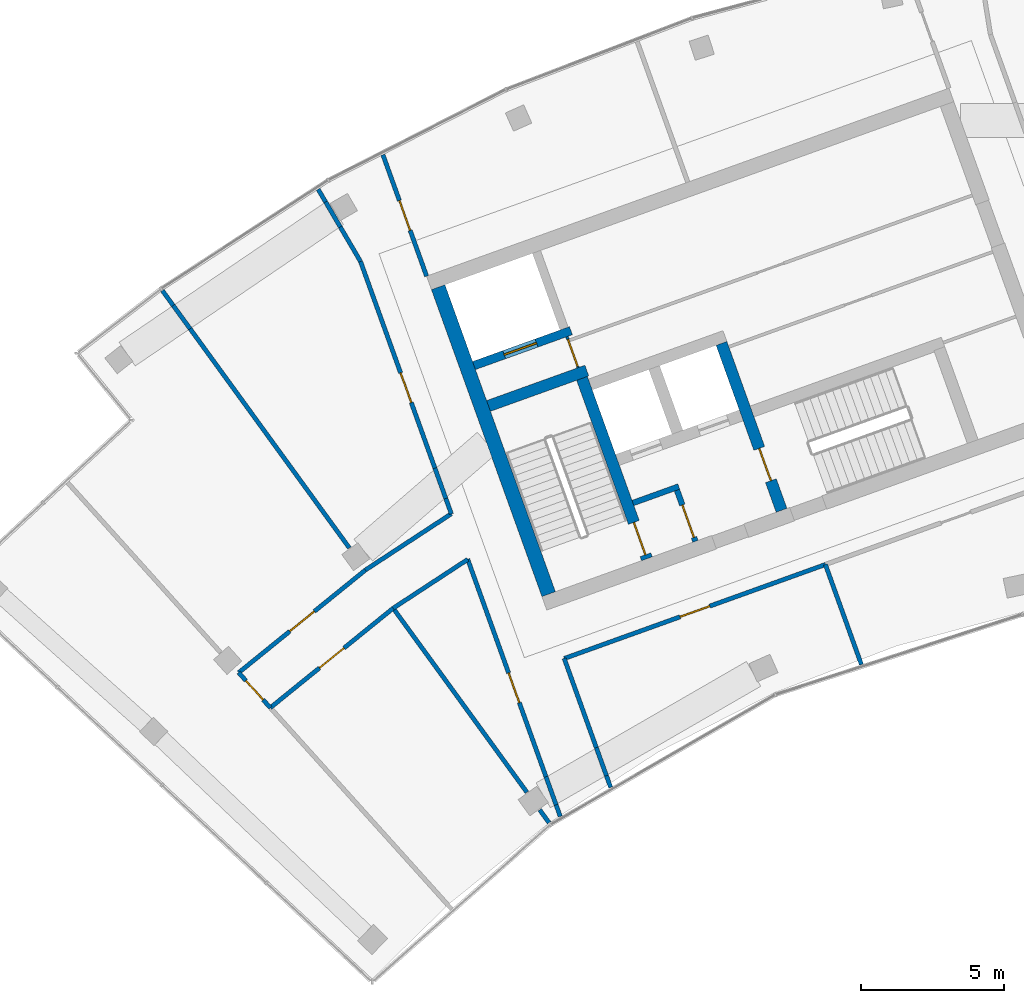
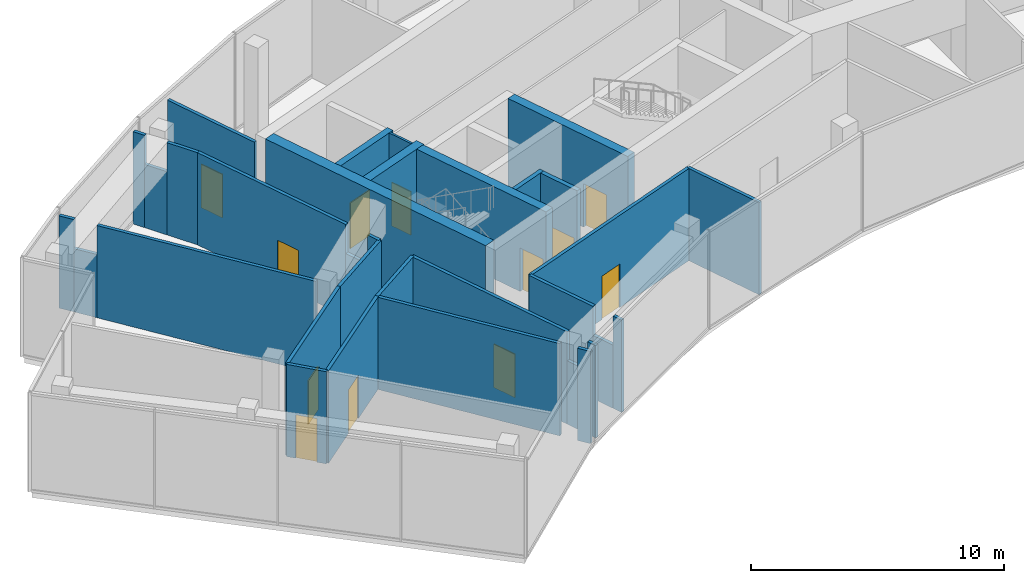
# One storey, part 12 of 17: 33 walls, 12 doors, 12 openings.
"""IFC4 building model written with IfcOpenShell, lengths in metres."""

from ifc_helpers import new_model, si_unit, direction, frame, frame_2d, origin, place, context, subcontext, project, spatial, rectangle, extrude, material, layer, layer_set, type_object, element, fill, save


model = new_model("IFC4")

# Units and contexts
model_context = context("Model", 3, precision=1e-05, world=origin(), true_north=direction((0.0, 1.0)))
body_context = subcontext(model_context, "Body", "Model", "MODEL_VIEW")
ifc_project = project(units=[si_unit("LENGTHUNIT", "METRE"), si_unit("AREAUNIT", "SQUARE_METRE"), si_unit("VOLUMEUNIT", "CUBIC_METRE"), si_unit("PLANEANGLEUNIT", "RADIAN"), si_unit("MASSUNIT", "GRAM", prefix="KILO")], contexts=[model_context])

# Site, building, storey
site_placement = place(None, origin())
site = spatial("IfcSite", under=ifc_project, at=site_placement, CompositionType="ELEMENT")
building_placement = place(site_placement, origin())
building = spatial("IfcBuilding", under=site, at=building_placement, Name="Stone Belt Terrace Tower", CompositionType="ELEMENT")
storey_placement = place(building_placement, frame((0.0, 0.0, 318.199951171875)))
storey = spatial("IfcBuildingStorey", under=building, at=storey_placement, Name="L77", CompositionType="ELEMENT", Elevation=318.199951171875)

# Wall, opening, door
ifc_material_1 = material(Name="Plasterboard partition")
ifc_layer_1 = layer(ifc_material_1, 0.10009765625)
ifc_layer_set_1 = layer_set([ifc_layer_1], Name="Core partition 100")
wall_type_1 = type_object("IfcWallType", Name="Core partition 100", PredefinedType="PARTITIONING", material=ifc_layer_set_1)
wall_1_placement = place(storey_placement, frame((-24.555908203125, 51.10400390625, 0.0), z_axis=(0.0, 0.0, 1.0), x_axis=(-0.338621735342, 0.94092258999, 0.0)))
wall_1 = element("IfcWall", 1, at=wall_1_placement, inside=storey, type_object=wall_type_1, Name="Core A wall", PredefinedType="PARTITIONING", context=body_context, shape_type="SweptSolid", body=[
    extrude(rectangle(XDim=1.14990234375, YDim=0.10009765625, at=frame_2d((0.574951171875, 0.0))), origin(), (0.0, 0.0, 1.0), 4.449951171875),
])
opening_1_placement = place(wall_1_placement, frame((0.050048828125, 0.0, 0.0)))
opening_1 = element("IfcOpeningElement", 2, at=opening_1_placement, cuts=wall_1, Name="Opening L77-C03", PredefinedType="OPENING", context=body_context, shape_type="SweptSolid", body=[
    extrude(rectangle(XDim=1.0, YDim=2.10009765625, at=frame_2d((0.5, 1.050048828125))), frame((0.0, 0.06005859375, 0.0), z_axis=(0.0, -1.0, 0.0), x_axis=(1.0, 0.0, 0.0)), (0.0, 0.0, 1.0), 0.1201171875),
])
ifc_material_2 = material(Name="Timber door leaf", Category="wood")
door_type_1 = type_object("IfcDoorType", Name="Core room door 1000", OperationType="SINGLE_SWING_LEFT", PredefinedType="DOOR", material=ifc_material_2)
door_1_placement = place(opening_1_placement, origin())
door_1 = element("IfcDoor", 3, at=door_1_placement, inside=storey, type_object=door_type_1, Name="Service lift lobby door core A", OperationType="SINGLE_SWING_LEFT", OverallHeight=2.10009765625, OverallWidth=1.0, PredefinedType="DOOR", context=body_context, shape_type="SweptSolid", body=[
    extrude(rectangle(XDim=1.0, YDim=2.10009765625, at=frame_2d((0.5, 1.050048828125))), frame((0.0, 0.02490234375, 0.0), z_axis=(0.0, -1.0, 0.0), x_axis=(1.0, 0.0, 0.0)), (0.0, 0.0, 1.0), 0.050048828125),
])
fill(opening_1, door_1)

# Wall
ifc_material_3 = material(Name="Concrete B60", Category="concrete")
ifc_layer_2 = layer(ifc_material_3, 0.5)
ifc_layer_set_2 = layer_set([ifc_layer_2], Name="Core wall 500 B60")
wall_type_2 = type_object("IfcWallType", Name="Core wall 500 B60", PredefinedType="SHEAR", material=ifc_layer_set_2)
wall_2_placement = place(storey_placement, frame((-25.5859375, 43.1875, 0.0), z_axis=(0.0, 0.0, 1.0), x_axis=(-0.338632255135, 0.940918804033, 0.0)))
element("IfcWall", 4, at=wall_2_placement, inside=storey, type_object=wall_type_2, Name="Core A wall end_a L77", PredefinedType="SHEAR", context=body_context, shape_type="SweptSolid", body=[
    extrude(rectangle(XDim=11.39990234375, YDim=0.5, at=frame_2d((5.699951171875, 0.0))), origin(), (0.0, 0.0, 1.0), 4.800048828125),
])

# Wall, opening, door
ifc_material_4 = material(Name="Concrete B80", Category="concrete")
ifc_layer_3 = layer(ifc_material_4, 0.300048828125)
ifc_layer_set_3 = layer_set([ifc_layer_3], Name="Lift shaft wall 300")
wall_type_3 = type_object("IfcWallType", Name="Lift shaft wall 300", PredefinedType="SHEAR", material=ifc_layer_set_3)
wall_3_placement = place(storey_placement, frame((-28.195068359375, 51.17578125, 0.0), z_axis=(0.0, 0.0, 1.0), x_axis=(0.940901243567, 0.338681044427, 0.0)))
wall_3 = element("IfcWall", 5, at=wall_3_placement, inside=storey, type_object=wall_type_3, Name="Core A wall", PredefinedType="SHEAR", context=body_context, shape_type="SweptSolid", body=[
    extrude(rectangle(XDim=3.599853515625, YDim=0.300048828125, at=frame_2d((1.7998046875, 0.0))), origin(), (0.0, 0.0, 1.0), 4.449951171875),
])
opening_2_placement = place(wall_3_placement, frame((1.1201171875, 0.0, 0.0)))
opening_2 = element("IfcOpeningElement", 6, at=opening_2_placement, cuts=wall_3, Name="Opening L77-LD03", PredefinedType="OPENING", context=body_context, shape_type="SweptSolid", body=[
    extrude(rectangle(XDim=1.199951171875, YDim=2.199951171875, at=frame_2d((0.60009765625, 1.10009765625))), frame((0.0, 0.159912109375, 0.0), z_axis=(0.0, -1.0, 0.0), x_axis=(1.0, 0.0, 0.0)), (0.0, 0.0, 1.0), 0.320068359375),
])
ifc_material_5 = material(Name="Stainless steel door leaf", Category="steel")
door_type_2 = type_object("IfcDoorType", Name="Landing door 1200", OperationType="SLIDING_TO_LEFT", PredefinedType="DOOR", material=ifc_material_5)
door_2_placement = place(opening_2_placement, origin())
door_2 = element("IfcDoor", 7, at=door_2_placement, inside=storey, type_object=door_type_2, Name="Landing door SV1 core A", OperationType="SLIDING_TO_LEFT", OverallHeight=2.199951171875, OverallWidth=1.199951171875, PredefinedType="DOOR", context=body_context, shape_type="SweptSolid", body=[
    extrude(rectangle(XDim=1.199951171875, YDim=2.199951171875, at=frame_2d((0.60009765625, 1.10009765625))), frame((0.0, 0.02490234375, 0.0), z_axis=(0.0, -1.0, 0.0), x_axis=(1.0, 0.0, 0.0)), (0.0, 0.0, 1.0), 0.050048828125),
])
fill(opening_2, door_2)

# Walls
ifc_material_6 = material(Name="Gypsum board partition")
ifc_layer_4 = layer(ifc_material_6, 0.14990234375)
ifc_layer_set_4 = layer_set([ifc_layer_4], Name="PARTITION 150 EI 60")
wall_type_4 = type_object("IfcWallType", Name="PARTITION 150 EI 60", PredefinedType="PARTITIONING", material=ifc_layer_set_4)
wall_4_placement = place(storey_placement, frame((-25.0439453125, 40.945068359375, 0.0), z_axis=(0.0, 0.0, 1.0), x_axis=(0.338711654555, -0.94089022477, 0.0)))
element("IfcWall", 8, at=wall_4_placement, inside=storey, type_object=wall_type_4, Name="L77/wall/i001-1", PredefinedType="PARTITIONING", context=body_context, shape_type="SweptSolid", body=[
    extrude(rectangle(XDim=3.3193359375, YDim=0.14990234375, at=frame_2d((1.65966796875, 0.0))), origin(), (0.0, 0.0, 1.0), 4.449951171875),
])
wall_5_placement = place(storey_placement, frame((-23.919677734375, 37.822021484375, 0.0), z_axis=(0.0, 0.0, 1.0), x_axis=(0.338752627674, -0.940875473824, 0.0)))
element("IfcWall", 9, at=wall_5_placement, inside=storey, type_object=wall_type_4, Name="L77/wall/i001-2", PredefinedType="PARTITIONING", context=body_context, shape_type="SweptSolid", body=[
    extrude(rectangle(XDim=1.04296875, YDim=0.14990234375, at=frame_2d((0.521484375, 0.0))), origin(), (0.0, 0.0, 1.0), 3.050048828125),
])
wall_6_placement = place(storey_placement, frame((-23.56640625, 36.8408203125, 0.0), z_axis=(0.0, 0.0, 1.0), x_axis=(0.338440281966, -0.940987872155, 0.0)))
element("IfcWall", 10, at=wall_6_placement, inside=storey, type_object=wall_type_4, Name="L77/wall/i001-3", PredefinedType="PARTITIONING", context=body_context, shape_type="SweptSolid", body=[
    extrude(rectangle(XDim=0.43359375, YDim=0.14990234375, at=frame_2d((0.216796875, 0.0))), origin(), (0.0, 0.0, 1.0), 4.449951171875),
])

# Wall, opening, door
wall_7_placement = place(storey_placement, frame((-31.3779296875, 58.543212890625, 0.0), z_axis=(0.0, 0.0, 1.0), x_axis=(0.338585267605, -0.940935713299, 0.0)))
wall_7 = element("IfcWall", 11, at=wall_7_placement, inside=storey, type_object=wall_type_4, Name="L77/wall/i002", PredefinedType="PARTITIONING", context=body_context, shape_type="SweptSolid", body=[
    extrude(rectangle(XDim=4.509521484375, YDim=0.14990234375, at=frame_2d((2.2548828125, 0.0))), origin(), (0.0, 0.0, 1.0), 4.449951171875),
])
opening_3_placement = place(wall_7_placement, frame((1.704833984375, 0.0, 0.0)))
opening_3 = element("IfcOpeningElement", 12, at=opening_3_placement, cuts=wall_7, Name="Opening D-C77-03", PredefinedType="OPENING", context=body_context, shape_type="SweptSolid", body=[
    extrude(rectangle(XDim=1.10009765625, YDim=2.10009765625, at=frame_2d((0.550048828125, 1.050048828125))), frame((0.0, 0.0849609375, 0.0), z_axis=(0.0, -1.0, 0.0), x_axis=(1.0, 0.0, 0.0)), (0.0, 0.0, 1.0), 0.169921875),
])
ifc_material_7 = material(Name="Steel fire door set", Category="steel")
door_type_3 = type_object("IfcDoorType", Name="SERVICE ROOM DOOR 1100 X 2100", OperationType="NOTDEFINED", PredefinedType="DOOR", material=ifc_material_7)
door_3_placement = place(opening_3_placement, origin())
door_3 = element("IfcDoor", 13, at=door_3_placement, inside=storey, type_object=door_type_3, Name="L77/door/i03", OperationType="SINGLE_SWING_RIGHT", OverallHeight=2.10009765625, OverallWidth=1.10009765625, PredefinedType="DOOR", context=body_context, shape_type="SweptSolid", body=[
    extrude(rectangle(XDim=1.10009765625, YDim=2.10009765625, at=frame_2d((0.550048828125, 1.050048828125))), frame((0.0, 0.02490234375, 0.0), z_axis=(0.0, -1.0, 0.0), x_axis=(1.0, 0.0, 0.0)), (0.0, 0.0, 1.0), 0.050048828125),
])
fill(opening_3, door_3)

# Walls
wall_8_placement = place(storey_placement, frame((-25.1796875, 35.416748046875, 0.0), z_axis=(0.0, 0.0, 1.0), x_axis=(-0.338440281966, 0.940987872155, 0.0)))
element("IfcWall", 14, at=wall_8_placement, inside=storey, type_object=wall_type_4, Name="L77/wall/i003-1", PredefinedType="PARTITIONING", context=body_context, shape_type="SweptSolid", body=[
    extrude(rectangle(XDim=0.43359375, YDim=0.14990234375, at=frame_2d((0.216796875, 0.0))), origin(), (0.0, 0.0, 1.0), 4.449951171875),
])
wall_9_placement = place(storey_placement, frame((-25.326416015625, 35.82470703125, 0.0), z_axis=(0.0, 0.0, 1.0), x_axis=(-0.338678027557, 0.940902329495, 0.0)))
element("IfcWall", 15, at=wall_9_placement, inside=storey, type_object=wall_type_4, Name="L77/wall/i003-2", PredefinedType="PARTITIONING", context=body_context, shape_type="SweptSolid", body=[
    extrude(rectangle(XDim=1.04296875, YDim=0.14990234375, at=frame_2d((0.521484375, 0.0))), origin(), (0.0, 0.0, 1.0), 3.050048828125),
])

# Wall, opening, door
wall_10_placement = place(storey_placement, frame((-25.6796875, 36.80615234375, 0.0), z_axis=(0.0, 0.0, 1.0), x_axis=(-0.338684156547, 0.940900123341, 0.0)))
wall_10 = element("IfcWall", 16, at=wall_10_placement, inside=storey, type_object=wall_type_4, Name="L77/wall/i003-3", PredefinedType="PARTITIONING", context=body_context, shape_type="SweptSolid", body=[
    extrude(rectangle(XDim=8.079345703125, YDim=0.14990234375, at=frame_2d((4.03955078125, 0.0))), origin(), (0.0, 0.0, 1.0), 4.449951171875),
])
opening_4_placement = place(wall_10_placement, frame((2.75146484375, 0.0, 0.0)))
opening_4 = element("IfcOpeningElement", 17, at=opening_4_placement, cuts=wall_10, Name="Opening D-C77-10", PredefinedType="OPENING", context=body_context, shape_type="SweptSolid", body=[
    extrude(rectangle(XDim=1.10009765625, YDim=2.10009765625, at=frame_2d((0.550048828125, 1.050048828125))), frame((0.0, 0.0849609375, 0.0), z_axis=(0.0, -1.0, 0.0), x_axis=(1.0, 0.0, 0.0)), (0.0, 0.0, 1.0), 0.169921875),
])
door_4_placement = place(opening_4_placement, origin())
door_4 = element("IfcDoor", 18, at=door_4_placement, inside=storey, type_object=door_type_3, Name="L77/door/i10", OperationType="SINGLE_SWING_RIGHT", OverallHeight=2.10009765625, OverallWidth=1.10009765625, PredefinedType="DOOR", context=body_context, shape_type="SweptSolid", body=[
    extrude(rectangle(XDim=1.10009765625, YDim=2.10009765625, at=frame_2d((0.550048828125, 1.050048828125))), frame((0.0, 0.02490234375, 0.0), z_axis=(0.0, -1.0, 0.0), x_axis=(1.0, 0.0, 0.0)), (0.0, 0.0, 1.0), 0.050048828125),
])
fill(opening_4, door_4)

# Walls
wall_11_placement = place(storey_placement, frame((-28.986083984375, 45.990966796875, 0.0), z_axis=(0.0, 0.0, 1.0), x_axis=(-0.338417215931, 0.940996167878, 0.0)))
element("IfcWall", 19, at=wall_11_placement, inside=storey, type_object=wall_type_4, Name="L77/wall/i004-1", PredefinedType="PARTITIONING", context=body_context, shape_type="SweptSolid", body=[
    extrude(rectangle(XDim=0.572021484375, YDim=0.14990234375, at=frame_2d((0.2861328125, 0.0))), origin(), (0.0, 0.0, 1.0), 4.449951171875),
])
wall_12_placement = place(storey_placement, frame((-29.1796875, 46.529296875, 0.0), z_axis=(0.0, 0.0, 1.0), x_axis=(-0.338688873114, 0.940898425564, 0.0)))
element("IfcWall", 20, at=wall_12_placement, inside=storey, type_object=wall_type_4, Name="L77/wall/i004-2", PredefinedType="PARTITIONING", context=body_context, shape_type="SweptSolid", body=[
    extrude(rectangle(XDim=1.13037109375, YDim=0.14990234375, at=frame_2d((0.565185546875, 0.0))), origin(), (0.0, 0.0, 1.0), 3.050048828125),
])

# Wall, opening, door
wall_13_placement = place(storey_placement, frame((-29.5625, 47.5927734375, 0.0), z_axis=(0.0, 0.0, 1.0), x_axis=(-0.338636131016, 0.940917409112, 0.0)))
wall_13 = element("IfcWall", 21, at=wall_13_placement, inside=storey, type_object=wall_type_4, Name="L77/wall/i004-3", PredefinedType="PARTITIONING", context=body_context, shape_type="SweptSolid", body=[
    extrude(rectangle(XDim=7.6767578125, YDim=0.14990234375, at=frame_2d((3.83837890625, 0.0))), origin(), (0.0, 0.0, 1.0), 4.449951171875),
])
opening_5_placement = place(wall_13_placement, frame((2.437255859375, 0.0, 0.0)))
opening_5 = element("IfcOpeningElement", 22, at=opening_5_placement, cuts=wall_13, Name="Opening D-C77-12", PredefinedType="OPENING", context=body_context, shape_type="SweptSolid", body=[
    extrude(rectangle(XDim=1.10009765625, YDim=2.10009765625, at=frame_2d((0.550048828125, 1.050048828125))), frame((0.0, 0.0849609375, 0.0), z_axis=(0.0, -1.0, 0.0), x_axis=(1.0, 0.0, 0.0)), (0.0, 0.0, 1.0), 0.169921875),
])
door_5_placement = place(opening_5_placement, origin())
door_5 = element("IfcDoor", 23, at=door_5_placement, inside=storey, type_object=door_type_3, Name="L77/door/i12", OperationType="SINGLE_SWING_RIGHT", OverallHeight=2.10009765625, OverallWidth=1.10009765625, PredefinedType="DOOR", context=body_context, shape_type="SweptSolid", body=[
    extrude(rectangle(XDim=1.10009765625, YDim=2.10009765625, at=frame_2d((0.550048828125, 1.050048828125))), frame((0.0, 0.02490234375, 0.0), z_axis=(0.0, -1.0, 0.0), x_axis=(1.0, 0.0, 0.0)), (0.0, 0.0, 1.0), 0.050048828125),
])
fill(opening_5, door_5)

# Walls
wall_14_placement = place(storey_placement, frame((-32.162109375, 54.81591796875, 0.0), z_axis=(0.0, 0.0, 1.0), x_axis=(-0.505934839894, 0.862571700082, 0.0)))
element("IfcWall", 24, at=wall_14_placement, inside=storey, type_object=wall_type_4, Name="L77/wall/i005-1", PredefinedType="PARTITIONING", context=body_context, shape_type="SweptSolid", body=[
    extrude(rectangle(XDim=1.396484375, YDim=0.14990234375, at=frame_2d((0.6982421875, 0.0))), origin(), (0.0, 0.0, 1.0), 4.449951171875),
])
wall_15_placement = place(storey_placement, frame((-32.86865234375, 56.0205078125, 0.0), z_axis=(0.0, 0.0, 1.0), x_axis=(-0.506134256397, 0.862454702869, 0.0)))
element("IfcWall", 25, at=wall_15_placement, inside=storey, type_object=wall_type_4, Name="L77/wall/i005-2", PredefinedType="PARTITIONING", context=body_context, shape_type="SweptSolid", body=[
    extrude(rectangle(XDim=1.011962890625, YDim=0.14990234375, at=frame_2d((0.505859375, 0.0))), origin(), (0.0, 0.0, 1.0), 3.050048828125),
])
wall_16_placement = place(storey_placement, frame((-33.380859375, 56.893310546875, 0.0), z_axis=(0.0, 0.0, 1.0), x_axis=(-0.505939142172, 0.862569176599, 0.0)))
element("IfcWall", 26, at=wall_16_placement, inside=storey, type_object=wall_type_4, Name="L77/wall/i005-3", PredefinedType="PARTITIONING", context=body_context, shape_type="SweptSolid", body=[
    extrude(rectangle(XDim=0.513427734375, YDim=0.14990234375, at=frame_2d((0.2568359375, 0.0))), origin(), (0.0, 0.0, 1.0), 4.449951171875),
])

# Wall, opening, door
wall_17_placement = place(storey_placement, frame((-15.908935546875, 44.22509765625, 0.0), z_axis=(0.0, 0.0, 1.0), x_axis=(-0.940945435026, -0.338558249498, 0.0)))
wall_17 = element("IfcWall", 27, at=wall_17_placement, inside=storey, type_object=wall_type_4, Name="L77/wall/i011", PredefinedType="PARTITIONING", context=body_context, shape_type="SweptSolid", body=[
    extrude(rectangle(XDim=9.706298828125, YDim=0.14990234375, at=frame_2d((4.85302734375, 0.0))), origin(), (0.0, 0.0, 1.0), 4.449951171875),
])
opening_6_placement = place(wall_17_placement, frame((4.302978515625, 0.0, 0.0)))
opening_6 = element("IfcOpeningElement", 28, at=opening_6_placement, cuts=wall_17, Name="Opening D-C77-01", PredefinedType="OPENING", context=body_context, shape_type="SweptSolid", body=[
    extrude(rectangle(XDim=1.10009765625, YDim=2.10009765625, at=frame_2d((0.550048828125, 1.050048828125))), frame((0.0, 0.0849609375, 0.0), z_axis=(0.0, -1.0, 0.0), x_axis=(1.0, 0.0, 0.0)), (0.0, 0.0, 1.0), 0.169921875),
])
door_6_placement = place(opening_6_placement, origin())
door_6 = element("IfcDoor", 29, at=door_6_placement, inside=storey, type_object=door_type_3, Name="L77/door/i01", OperationType="SINGLE_SWING_LEFT", OverallHeight=2.10009765625, OverallWidth=1.10009765625, PredefinedType="DOOR", context=body_context, shape_type="SweptSolid", body=[
    extrude(rectangle(XDim=1.10009765625, YDim=2.10009765625, at=frame_2d((0.550048828125, 1.050048828125))), frame((0.0, 0.02490234375, 0.0), z_axis=(0.0, -1.0, 0.0), x_axis=(1.0, 0.0, 0.0)), (0.0, 0.0, 1.0), 0.050048828125),
])
fill(opening_6, door_6)

# Wall
wall_18_placement = place(storey_placement, frame((-15.9150390625, 44.222900390625, 0.0), z_axis=(0.0, 0.0, 1.0), x_axis=(0.338565939122, -0.940942668215, 0.0)))
element("IfcWall", 30, at=wall_18_placement, inside=storey, type_object=wall_type_4, Name="L77/wall/i013", PredefinedType="PARTITIONING", context=body_context, shape_type="SweptSolid", body=[
    extrude(rectangle(XDim=3.716552734375, YDim=0.14990234375, at=frame_2d((1.8583984375, 0.0))), origin(), (0.0, 0.0, 1.0), 4.449951171875),
])

# Wall, opening, door
wall_19_placement = place(storey_placement, frame((-35.31005859375, 39.214111328125, 0.0), z_axis=(0.0, 0.0, 1.0), x_axis=(-0.669191970187, 0.743089568651, 0.0)))
wall_19 = element("IfcWall", 31, at=wall_19_placement, inside=storey, type_object=wall_type_4, Name="L77/wall/i029", PredefinedType="PARTITIONING", context=body_context, shape_type="SweptSolid", body=[
    extrude(rectangle(XDim=1.661865234375, YDim=0.14990234375, at=frame_2d((0.8310546875, 0.0))), origin(), (0.0, 0.0, 1.0), 4.449951171875),
])
opening_7_placement = place(wall_19_placement, frame((0.380859375, 0.0, 0.0)))
opening_7 = element("IfcOpeningElement", 32, at=opening_7_placement, cuts=wall_19, Name="Opening D-C77-09", PredefinedType="OPENING", context=body_context, shape_type="SweptSolid", body=[
    extrude(rectangle(XDim=0.89990234375, YDim=2.10009765625, at=frame_2d((0.449951171875, 1.050048828125))), frame((0.0, 0.0849609375, 0.0), z_axis=(0.0, -1.0, 0.0), x_axis=(1.0, 0.0, 0.0)), (0.0, 0.0, 1.0), 0.169921875),
])
door_type_4 = type_object("IfcDoorType", Name="SERVICE ROOM DOOR 900 X 2100", OperationType="NOTDEFINED", PredefinedType="DOOR", material=ifc_material_7)
door_7_placement = place(opening_7_placement, origin())
door_7 = element("IfcDoor", 33, at=door_7_placement, inside=storey, type_object=door_type_4, Name="L77/door/i09", OperationType="SINGLE_SWING_RIGHT", OverallHeight=2.10009765625, OverallWidth=0.89990234375, PredefinedType="DOOR", context=body_context, shape_type="SweptSolid", body=[
    extrude(rectangle(XDim=0.89990234375, YDim=2.10009765625, at=frame_2d((0.449951171875, 1.050048828125))), frame((0.0, 0.02490234375, 0.0), z_axis=(0.0, -1.0, 0.0), x_axis=(1.0, 0.0, 0.0)), (0.0, 0.0, 1.0), 0.050048828125),
])
fill(opening_7, door_7)

# Wall
wall_20_placement = place(storey_placement, frame((-28.4140625, 44.402099609375, 0.0), z_axis=(0.0, 0.0, 1.0), x_axis=(-0.83665188287, -0.547734996955, 0.0)))
element("IfcWall", 34, at=wall_20_placement, inside=storey, type_object=wall_type_4, Name="L77/wall/i032", PredefinedType="PARTITIONING", context=body_context, shape_type="SweptSolid", body=[
    extrude(rectangle(XDim=3.11474609375, YDim=0.14990234375, at=frame_2d((1.557373046875, 0.0))), origin(), (0.0, 0.0, 1.0), 4.449951171875),
])

# Wall, opening, door
wall_21_placement = place(storey_placement, frame((-31.02001953125, 42.696044921875, 0.0), z_axis=(0.0, 0.0, 1.0), x_axis=(-0.777086357318, -0.629393988906, 0.0)))
wall_21 = element("IfcWall", 35, at=wall_21_placement, inside=storey, type_object=wall_type_4, Name="L77/wall/i033", PredefinedType="PARTITIONING", context=body_context, shape_type="SweptSolid", body=[
    extrude(rectangle(XDim=5.5244140625, YDim=0.14990234375, at=frame_2d((2.76220703125, 0.0))), origin(), (0.0, 0.0, 1.0), 4.449951171875),
])
opening_8_placement = place(wall_21_placement, frame((2.212158203125, 0.0, 0.0)))
opening_8 = element("IfcOpeningElement", 36, at=opening_8_placement, cuts=wall_21, Name="Opening D-C77-11", PredefinedType="OPENING", context=body_context, shape_type="SweptSolid", body=[
    extrude(rectangle(XDim=1.10009765625, YDim=2.10009765625, at=frame_2d((0.550048828125, 1.050048828125))), frame((0.0, 0.0849609375, 0.0), z_axis=(0.0, -1.0, 0.0), x_axis=(1.0, 0.0, 0.0)), (0.0, 0.0, 1.0), 0.169921875),
])
door_8_placement = place(opening_8_placement, origin())
door_8 = element("IfcDoor", 37, at=door_8_placement, inside=storey, type_object=door_type_3, Name="L77/door/i11", OperationType="SINGLE_SWING_RIGHT", OverallHeight=2.10009765625, OverallWidth=1.10009765625, PredefinedType="DOOR", context=body_context, shape_type="SweptSolid", body=[
    extrude(rectangle(XDim=1.10009765625, YDim=2.10009765625, at=frame_2d((0.550048828125, 1.050048828125))), frame((0.0, 0.02490234375, 0.0), z_axis=(0.0, -1.0, 0.0), x_axis=(1.0, 0.0, 0.0)), (0.0, 0.0, 1.0), 0.050048828125),
])
fill(opening_8, door_8)

# Wall
wall_22_placement = place(storey_placement, frame((-31.989990234375, 44.031005859375, 0.0), z_axis=(0.0, 0.0, 1.0), x_axis=(0.836679406756, 0.547692952584, 0.0)))
element("IfcWall", 38, at=wall_22_placement, inside=storey, type_object=wall_type_4, Name="L77/wall/i034", PredefinedType="PARTITIONING", context=body_context, shape_type="SweptSolid", body=[
    extrude(rectangle(XDim=3.587890625, YDim=0.14990234375, at=frame_2d((1.7939453125, 0.0))), origin(), (0.0, 0.0, 1.0), 4.449951171875),
])

# Wall, opening, door
wall_23_placement = place(storey_placement, frame((-36.4169921875, 40.446044921875, 0.0), z_axis=(0.0, 0.0, 1.0), x_axis=(0.777142060115, 0.629325208776, 0.0)))
wall_23 = element("IfcWall", 39, at=wall_23_placement, inside=storey, type_object=wall_type_4, Name="L77/wall/i035", PredefinedType="PARTITIONING", context=body_context, shape_type="SweptSolid", body=[
    extrude(rectangle(XDim=5.696533203125, YDim=0.14990234375, at=frame_2d((2.84814453125, 0.0))), origin(), (0.0, 0.0, 1.0), 4.449951171875),
])
opening_9_placement = place(wall_23_placement, frame((2.29833984375, 0.0, 0.0)))
opening_9 = element("IfcOpeningElement", 40, at=opening_9_placement, cuts=wall_23, Name="Opening D-C77-13", PredefinedType="OPENING", context=body_context, shape_type="SweptSolid", body=[
    extrude(rectangle(XDim=1.10009765625, YDim=2.10009765625, at=frame_2d((0.550048828125, 1.050048828125))), frame((0.0, 0.0849609375, 0.0), z_axis=(0.0, -1.0, 0.0), x_axis=(1.0, 0.0, 0.0)), (0.0, 0.0, 1.0), 0.169921875),
])
door_9_placement = place(opening_9_placement, origin())
door_9 = element("IfcDoor", 41, at=door_9_placement, inside=storey, type_object=door_type_3, Name="L77/door/i13", OperationType="SINGLE_SWING_RIGHT", OverallHeight=2.10009765625, OverallWidth=1.10009765625, PredefinedType="DOOR", context=body_context, shape_type="SweptSolid", body=[
    extrude(rectangle(XDim=1.10009765625, YDim=2.10009765625, at=frame_2d((0.550048828125, 1.050048828125))), frame((0.0, 0.02490234375, 0.0), z_axis=(0.0, -1.0, 0.0), x_axis=(1.0, 0.0, 0.0)), (0.0, 0.0, 1.0), 0.050048828125),
])
fill(opening_9, door_9)

# Walls
wall_24_placement = place(storey_placement, frame((-25.568115234375, 35.193115234375, 0.0), z_axis=(0.0, 0.0, 1.0), x_axis=(-0.587966030763, 0.808885620263, 0.0)))
element("IfcWall", 42, at=wall_24_placement, inside=storey, type_object=wall_type_4, Name="L77/wall/i036", PredefinedType="PARTITIONING", context=body_context, shape_type="SweptSolid", body=[
    extrude(rectangle(XDim=0.564697265625, YDim=0.14990234375, at=frame_2d((0.2822265625, 0.0))), origin(), (0.0, 0.0, 1.0), 4.449951171875),
])
wall_25_placement = place(storey_placement, frame((-26.346923828125, 36.2646484375, 0.0), z_axis=(0.0, 0.0, 1.0), x_axis=(-0.587819224362, 0.808992311132, 0.0)))
element("IfcWall", 43, at=wall_25_placement, inside=storey, type_object=wall_type_4, Name="L77/wall/i037", PredefinedType="PARTITIONING", context=body_context, shape_type="SweptSolid", body=[
    extrude(rectangle(XDim=7.949951171875, YDim=0.14990234375, at=frame_2d((3.97509765625, 0.0))), origin(), (0.0, 0.0, 1.0), 4.449951171875),
])
wall_26_placement = place(storey_placement, frame((-32.55126953125, 44.803466796875, 0.0), z_axis=(0.0, 0.0, 1.0), x_axis=(-0.587800574361, 0.809005862019, 0.0)))
element("IfcWall", 44, at=wall_26_placement, inside=storey, type_object=wall_type_4, Name="L77/wall/i038-1", PredefinedType="PARTITIONING", context=body_context, shape_type="SweptSolid", body=[
    extrude(rectangle(XDim=9.46728515625, YDim=0.14990234375, at=frame_2d((4.733642578125, 0.0))), origin(), (0.0, 0.0, 1.0), 4.449951171875),
])
wall_27_placement = place(storey_placement, frame((-38.1162109375, 52.462646484375, 0.0), z_axis=(0.0, 0.0, 1.0), x_axis=(-0.587810725145, 0.808998486652, 0.0)))
element("IfcWall", 45, at=wall_27_placement, inside=storey, type_object=wall_type_4, Name="L77/wall/i038-2", PredefinedType="PARTITIONING", context=body_context, shape_type="SweptSolid", body=[
    extrude(rectangle(XDim=1.005615234375, YDim=0.14990234375, at=frame_2d((0.5029296875, 0.0))), origin(), (0.0, 0.0, 1.0), 3.050048828125),
])
wall_28_placement = place(storey_placement, frame((-38.707275390625, 53.276123046875, 0.0), z_axis=(0.0, 0.0, 1.0), x_axis=(-0.58792501558, 0.808915431955, 0.0)))
element("IfcWall", 46, at=wall_28_placement, inside=storey, type_object=wall_type_4, Name="L77/wall/i038-3", PredefinedType="PARTITIONING", context=body_context, shape_type="SweptSolid", body=[
    extrude(rectangle(XDim=0.6474609375, YDim=0.14990234375, at=frame_2d((0.32373046875, 0.0))), origin(), (0.0, 0.0, 1.0), 4.449951171875),
])
ifc_material_8 = material(Name="Concrete masonry block", Category="masonry")
ifc_layer_5 = layer(ifc_material_8, 0.199951171875)
ifc_layer_set_5 = layer_set([ifc_layer_5], Name="Rated lobby wall 200")
wall_type_5 = type_object("IfcWallType", Name="Rated lobby wall 200", PredefinedType="PARTITIONING", material=ifc_layer_set_5)
wall_29_placement = place(storey_placement, frame((-22.640625, 46.373046875, 0.0), z_axis=(0.0, 0.0, 1.0), x_axis=(0.940966110313, 0.338500781747, 0.0)))
element("IfcWall", 47, at=wall_29_placement, inside=storey, type_object=wall_type_5, Name="Core A wall", PredefinedType="PARTITIONING", context=body_context, shape_type="SweptSolid", body=[
    extrude(rectangle(XDim=1.699951171875, YDim=0.199951171875, at=frame_2d((0.85009765625, 0.0))), origin(), (0.0, 0.0, 1.0), 4.449951171875),
])

# Wall, opening, door
wall_30_placement = place(storey_placement, frame((-20.4580078125, 45.032958984375, 0.0), z_axis=(0.0, 0.0, 1.0), x_axis=(-0.338573865316, 0.940939816208, 0.0)))
wall_30 = element("IfcWall", 48, at=wall_30_placement, inside=storey, type_object=wall_type_5, Name="Core A wall", PredefinedType="PARTITIONING", context=body_context, shape_type="SweptSolid", body=[
    extrude(rectangle(XDim=1.900146484375, YDim=0.199951171875, at=frame_2d((0.9501953125, 0.0))), origin(), (0.0, 0.0, 1.0), 4.449951171875),
])
opening_10_placement = place(wall_30_placement, frame((0.14990234375, 0.0, 0.0)))
opening_10 = element("IfcOpeningElement", 49, at=opening_10_placement, cuts=wall_30, Name="Opening L77-C06", PredefinedType="OPENING", context=body_context, shape_type="SweptSolid", body=[
    extrude(rectangle(XDim=1.199951171875, YDim=2.10009765625, at=frame_2d((0.60009765625, 1.050048828125))), frame((0.0, 0.10986328125, 0.0), z_axis=(0.0, -1.0, 0.0), x_axis=(1.0, 0.0, 0.0)), (0.0, 0.0, 1.0), 0.219970703125),
])
ifc_material_9 = material(Name="Steel door leaf", Category="steel")
door_type_5 = type_object("IfcDoorType", Name="Stair door 1200", OperationType="SINGLE_SWING_LEFT", PredefinedType="DOOR", material=ifc_material_9)
door_10_placement = place(opening_10_placement, origin())
door_10 = element("IfcDoor", 50, at=door_10_placement, inside=storey, type_object=door_type_5, Name="Stair airlock door core A", OperationType="SINGLE_SWING_LEFT", OverallHeight=2.10009765625, OverallWidth=1.199951171875, PredefinedType="DOOR", context=body_context, shape_type="SweptSolid", body=[
    extrude(rectangle(XDim=1.199951171875, YDim=2.10009765625, at=frame_2d((0.60009765625, 1.050048828125))), frame((0.0, 0.02490234375, 0.0), z_axis=(0.0, -1.0, 0.0), x_axis=(1.0, 0.0, 0.0)), (0.0, 0.0, 1.0), 0.050048828125),
])
fill(opening_10, door_10)

# Wall
ifc_layer_6 = layer(ifc_material_4, 0.39990234375)
ifc_layer_set_6 = layer_set([ifc_layer_6], Name="Stair enclosure wall 400")
wall_type_6 = type_object("IfcWallType", Name="Stair enclosure wall 400", PredefinedType="SHEAR", material=ifc_layer_set_6)
wall_31_placement = place(storey_placement, frame((-27.687255859375, 49.764404296875, 0.0), z_axis=(0.0, 0.0, 1.0), x_axis=(0.940918954884, 0.338631835981, 0.0)))
element("IfcWall", 51, at=wall_31_placement, inside=storey, type_object=wall_type_6, Name="Core A wall", PredefinedType="SHEAR", context=body_context, shape_type="SweptSolid", body=[
    extrude(rectangle(XDim=3.650146484375, YDim=0.39990234375, at=frame_2d((1.8251953125, 0.0))), origin(), (0.0, 0.0, 1.0), 4.449951171875),
])

# Wall, opening, door
wall_32_placement = place(storey_placement, frame((-22.151611328125, 44.42333984375, 0.0), z_axis=(0.0, 0.0, 1.0), x_axis=(-0.338625272931, 0.940921316866, 0.0)))
wall_32 = element("IfcWall", 52, at=wall_32_placement, inside=storey, type_object=wall_type_6, Name="Core A wall", PredefinedType="SHEAR", context=body_context, shape_type="SweptSolid", body=[
    extrude(rectangle(XDim=6.699951171875, YDim=0.39990234375, at=frame_2d((3.35009765625, 0.0))), origin(), (0.0, 0.0, 1.0), 4.449951171875),
])
opening_11_placement = place(wall_32_placement, frame((0.14990234375, 0.0, 0.0)))
opening_11 = element("IfcOpeningElement", 53, at=opening_11_placement, cuts=wall_32, Name="Opening L77-C05", PredefinedType="OPENING", context=body_context, shape_type="SweptSolid", body=[
    extrude(rectangle(XDim=1.199951171875, YDim=2.10009765625, at=frame_2d((0.60009765625, 1.050048828125))), frame((0.0, 0.2099609375, 0.0), z_axis=(0.0, -1.0, 0.0), x_axis=(1.0, 0.0, 0.0)), (0.0, 0.0, 1.0), 0.419921875),
])
door_11_placement = place(opening_11_placement, origin())
door_11 = element("IfcDoor", 54, at=door_11_placement, inside=storey, type_object=door_type_5, Name="Stair 1 door core A", OperationType="SINGLE_SWING_LEFT", OverallHeight=2.10009765625, OverallWidth=1.199951171875, PredefinedType="DOOR", context=body_context, shape_type="SweptSolid", body=[
    extrude(rectangle(XDim=1.199951171875, YDim=2.10009765625, at=frame_2d((0.60009765625, 1.050048828125))), frame((0.0, 0.02490234375, 0.0), z_axis=(0.0, -1.0, 0.0), x_axis=(1.0, 0.0, 0.0)), (0.0, 0.0, 1.0), 0.050048828125),
])
fill(opening_11, door_11)

wall_33_placement = place(storey_placement, frame((-17.447021484375, 46.116455078125, 0.0), z_axis=(0.0, 0.0, 1.0), x_axis=(-0.33860791464, 0.940927563707, 0.0)))
wall_33 = element("IfcWall", 55, at=wall_33_placement, inside=storey, type_object=wall_type_6, Name="Core A wall", PredefinedType="SHEAR", context=body_context, shape_type="SweptSolid", body=[
    extrude(rectangle(XDim=6.199951171875, YDim=0.39990234375, at=frame_2d((3.10009765625, 0.0))), origin(), (0.0, 0.0, 1.0), 4.449951171875),
])
opening_12_placement = place(wall_33_placement, frame((1.10009765625, 0.0, 0.0)))
opening_12 = element("IfcOpeningElement", 56, at=opening_12_placement, cuts=wall_33, Name="Opening L77-C08", PredefinedType="OPENING", context=body_context, shape_type="SweptSolid", body=[
    extrude(rectangle(XDim=1.199951171875, YDim=2.10009765625, at=frame_2d((0.60009765625, 1.050048828125))), frame((0.0, 0.2099609375, 0.0), z_axis=(0.0, -1.0, 0.0), x_axis=(1.0, 0.0, 0.0)), (0.0, 0.0, 1.0), 0.419921875),
])
door_12_placement = place(opening_12_placement, origin())
door_12 = element("IfcDoor", 57, at=door_12_placement, inside=storey, type_object=door_type_5, Name="Stair 2 door core A", OperationType="SINGLE_SWING_LEFT", OverallHeight=2.10009765625, OverallWidth=1.199951171875, PredefinedType="DOOR", context=body_context, shape_type="SweptSolid", body=[
    extrude(rectangle(XDim=1.199951171875, YDim=2.10009765625, at=frame_2d((0.60009765625, 1.050048828125))), frame((0.0, 0.02490234375, 0.0), z_axis=(0.0, -1.0, 0.0), x_axis=(1.0, 0.0, 0.0)), (0.0, 0.0, 1.0), 0.050048828125),
])
fill(opening_12, door_12)

save(model, "model.ifc")
